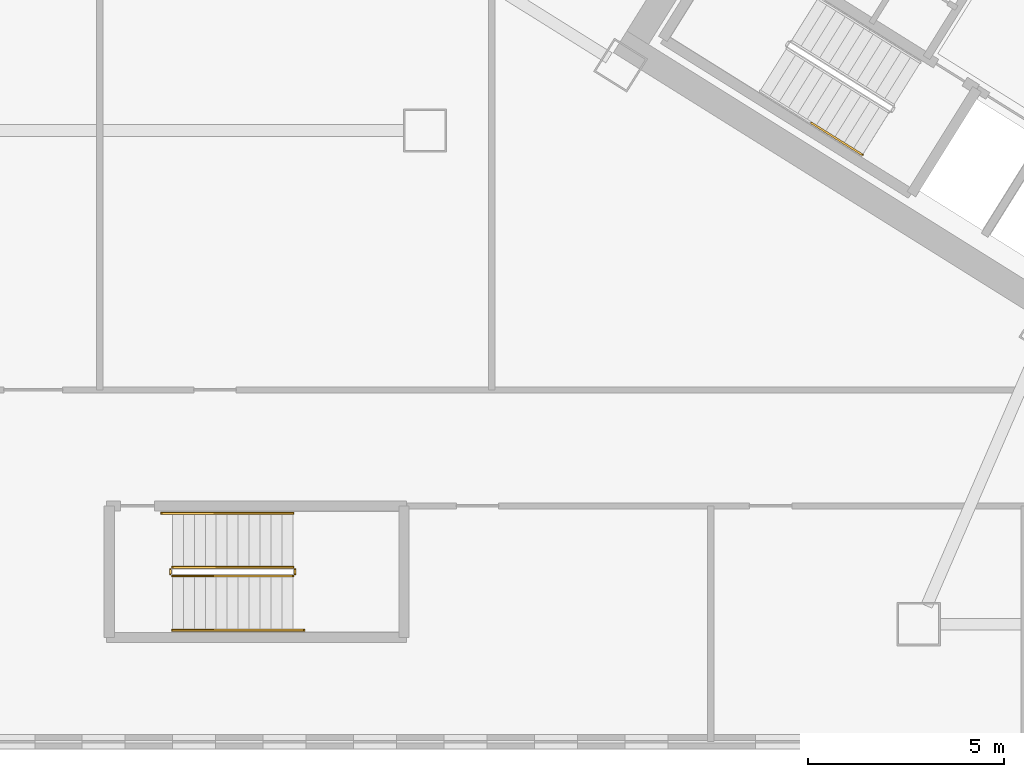
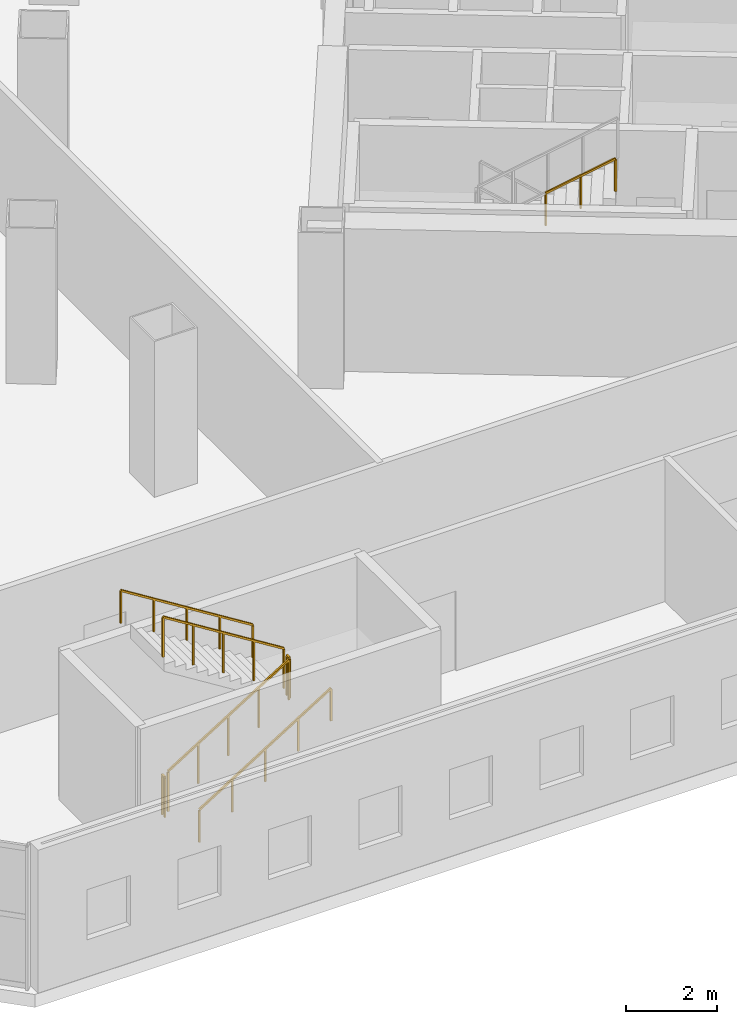
# One storey, part 16 of 22: 7 railings.
"""IFC4 building model written with IfcOpenShell, lengths in metres."""

from ifc_helpers import new_model, si_unit, direction, frame, origin, origin_2d, place, context, subcontext, project, spatial, rectangle, extrude, source, transform, mapped, material, type_object, element, save


model = new_model("IFC4")

# Units and contexts
model_context = context("Model", 3, precision=1e-05, world=origin(), true_north=direction((0.0, 1.0)))
body_context = subcontext(model_context, "Body", "Model", "MODEL_VIEW")
ifc_project = project(units=[si_unit("LENGTHUNIT", "METRE"), si_unit("AREAUNIT", "SQUARE_METRE"), si_unit("VOLUMEUNIT", "CUBIC_METRE"), si_unit("PLANEANGLEUNIT", "RADIAN"), si_unit("MASSUNIT", "GRAM", prefix="KILO")], contexts=[model_context])

# Site, building, storey
site_placement = place(None, origin())
site = spatial("IfcSite", under=ifc_project, at=site_placement, CompositionType="ELEMENT")
building_placement = place(site_placement, origin())
building = spatial("IfcBuilding", under=site, at=building_placement, Name="Tlacorven Tower", CompositionType="ELEMENT")
storey_placement = place(building_placement, frame((0.0, 0.0, 14.39990234375)))
storey = spatial("IfcBuildingStorey", under=building, at=storey_placement, Name="L03", CompositionType="ELEMENT", Elevation=14.39990234375)

# Railings
ifc_material = material(Name="Aluminium and painted steel balustrade", Category="steel")
railing_type_1 = type_object("IfcRailingType", Name="RL-HND-0900", PredefinedType="HANDRAIL", material=ifc_material)
shared_shape_1 = source(origin(), body_context, "Body", "SweptSolid", [
    extrude(rectangle(XDim=0.048095703125, YDim=0.048095703125, at=origin_2d()), frame((0.0, 0.0, 0.8759765625), z_axis=(0.719117830416, -0.449297399374, 0.530095645042), x_axis=(0.529870669602, 0.848078459516, 0.0)), (0.0, 0.0, 1.0), 1.81591796875),
    extrude(rectangle(XDim=0.0419921875, YDim=0.0419921875, at=origin_2d()), origin(), (0.0, 0.0, 1.0), 0.851806640625),
    extrude(rectangle(XDim=0.0419921875, YDim=0.0419921875, at=origin_2d()), frame((0.65283203125, -0.407958984375, 0.4814453125)), (0.0, 0.0, 1.0), 0.851806640625),
    extrude(rectangle(XDim=0.0419921875, YDim=0.0419921875, at=origin_2d()), frame((1.305908203125, -0.81591796875, 0.962646484375)), (0.0, 0.0, 1.0), 0.851806640625),
])
railing_1_placement = place(storey_placement, frame((27.059814453125, 17.395751953125, 3.237548828125)))
element("IfcRailing", 1, at=railing_1_placement, inside=storey, type_object=railing_type_1, Name="L03 ST-W1 stair handrail 4", PredefinedType="HANDRAIL", context=body_context, shape_type="MappedRepresentation", body=[
    mapped(shared_shape_1, transform((0.0, 0.0, 0.0), scale=1.0)),
])
railing_type_2 = type_object("IfcRailingType", Name="RL-GRD-1100", PredefinedType="GUARDRAIL", material=ifc_material)
shared_shape_2 = source(origin(), body_context, "Body", "SweptSolid", [
    extrude(rectangle(XDim=0.048095703125, YDim=0.048095703125, at=origin_2d()), frame((0.0, 0.0, 1.076171875), z_axis=(0.0, 1.0, 0.0), x_axis=(-1.0, 0.0, 0.0)), (0.0, 0.0, 1.0), 0.1201171875),
    extrude(rectangle(XDim=0.0419921875, YDim=0.0419921875, at=origin_2d()), origin(), (0.0, 0.0, 1.0), 1.052001953125),
    extrude(rectangle(XDim=0.0419921875, YDim=0.0419921875, at=origin_2d()), frame((0.0, 0.1201171875, 0.0)), (0.0, 0.0, 1.0), 1.052001953125),
])
for number, where, name in (
    (2, (13.8798828125, 5.8798828125, 2.10009765625), "L03 ST-P1 stair guard 2"),
    (3, (10.699951171875, 5.8798828125, 0.0), "L03 ST-P1 stair guard 4"),
):
    element("IfcRailing", number, at=place(storey_placement, frame(where)), inside=storey, type_object=railing_type_2, Name=name, PredefinedType="GUARDRAIL", context=body_context, shape_type="MappedRepresentation", body=[
        mapped(shared_shape_2, transform((0.0, 0.0, 0.0), scale=1.0)),
    ])
shared_shape_3 = source(origin(), body_context, "Body", "SweptSolid", [
    extrude(rectangle(XDim=0.048095703125, YDim=0.048095703125, at=origin_2d()), frame((0.0, 0.0, 1.076171875), z_axis=(0.847998304005, 0.0, 0.529998940003), x_axis=(0.0, 1.0, 0.0)), (0.0, 0.0, 1.0), 3.632080078125),
    extrude(rectangle(XDim=0.0419921875, YDim=0.0419921875, at=origin_2d()), origin(), (0.0, 0.0, 1.0), 1.052001953125),
    extrude(rectangle(XDim=0.0419921875, YDim=0.0419921875, at=origin_2d()), frame((0.77001953125, 0.0, 0.481201171875)), (0.0, 0.0, 1.0), 1.052001953125),
    extrude(rectangle(XDim=0.0419921875, YDim=0.0419921875, at=origin_2d()), frame((1.5400390625, 0.0, 0.96240234375)), (0.0, 0.0, 1.0), 1.052001953125),
    extrude(rectangle(XDim=0.0419921875, YDim=0.0419921875, at=origin_2d()), frame((2.31005859375, 0.0, 1.44384765625)), (0.0, 0.0, 1.0), 1.052001953125),
    extrude(rectangle(XDim=0.0419921875, YDim=0.0419921875, at=origin_2d()), frame((3.080078125, 0.0, 1.925048828125)), (0.0, 0.0, 1.0), 1.052001953125),
])
railing_2_placement = place(storey_placement, frame((10.75, 5.830078125, 0.175048828125)))
element("IfcRailing", 4, at=railing_2_placement, inside=storey, type_object=railing_type_2, Name="L03 ST-P1 stair guard 1", PredefinedType="GUARDRAIL", context=body_context, shape_type="MappedRepresentation", body=[
    mapped(shared_shape_3, transform((0.0, 0.0, 0.0), scale=1.0)),
])
shared_shape_4 = source(origin(), body_context, "Body", "SweptSolid", [
    extrude(rectangle(XDim=0.048095703125, YDim=0.048095703125, at=origin_2d()), frame((0.0, 0.0, 0.8759765625), z_axis=(0.847994842521, 0.0, 0.530004478338), x_axis=(0.0, 1.0, 0.0)), (0.0, 0.0, 1.0), 3.96240234375),
    extrude(rectangle(XDim=0.0419921875, YDim=0.0419921875, at=origin_2d()), origin(), (0.0, 0.0, 1.0), 0.851806640625),
    extrude(rectangle(XDim=0.0419921875, YDim=0.0419921875, at=origin_2d()), frame((0.840087890625, 0.0, 0.52490234375)), (0.0, 0.0, 1.0), 0.851806640625),
    extrude(rectangle(XDim=0.0419921875, YDim=0.0419921875, at=origin_2d()), frame((1.68017578125, 0.0, 1.050048828125)), (0.0, 0.0, 1.0), 0.851806640625),
    extrude(rectangle(XDim=0.0419921875, YDim=0.0419921875, at=origin_2d()), frame((2.52001953125, 0.0, 1.5751953125)), (0.0, 0.0, 1.0), 0.851806640625),
    extrude(rectangle(XDim=0.0419921875, YDim=0.0419921875, at=origin_2d()), frame((3.360107421875, 0.0, 2.10009765625)), (0.0, 0.0, 1.0), 0.851806640625),
])
railing_3_placement = place(storey_placement, frame((10.75, 4.449951171875, 0.175048828125)))
element("IfcRailing", 5, at=railing_3_placement, inside=storey, type_object=railing_type_1, Name="L03 ST-P1 stair handrail 1", PredefinedType="HANDRAIL", context=body_context, shape_type="MappedRepresentation", body=[
    mapped(shared_shape_4, transform((0.0, 0.0, 0.0), scale=1.0)),
])
shared_shape_5 = source(origin(), body_context, "Body", "SweptSolid", [
    extrude(rectangle(XDim=0.048095703125, YDim=0.048095703125, at=origin_2d()), frame((0.0, 0.0, 0.8759765625), z_axis=(-0.848022534174, 0.0, 0.529960169762), x_axis=(0.0, -1.0, 0.0)), (0.0, 0.0, 1.0), 3.96240234375),
    extrude(rectangle(XDim=0.0419921875, YDim=0.0419921875, at=origin_2d()), origin(), (0.0, 0.0, 1.0), 0.851806640625),
    extrude(rectangle(XDim=0.0419921875, YDim=0.0419921875, at=origin_2d()), frame((-0.840087890625, 0.0, 0.52490234375)), (0.0, 0.0, 1.0), 0.851806640625),
    extrude(rectangle(XDim=0.0419921875, YDim=0.0419921875, at=origin_2d()), frame((-1.68017578125, 0.0, 1.0498046875)), (0.0, 0.0, 1.0), 0.851806640625),
    extrude(rectangle(XDim=0.0419921875, YDim=0.0419921875, at=origin_2d()), frame((-2.52001953125, 0.0, 1.574951171875)), (0.0, 0.0, 1.0), 0.851806640625),
    extrude(rectangle(XDim=0.0419921875, YDim=0.0419921875, at=origin_2d()), frame((-3.360107421875, 0.0, 2.099853515625)), (0.0, 0.0, 1.0), 0.851806640625),
])
railing_4_placement = place(storey_placement, frame((13.830078125, 7.429931640625, 2.275146484375)))
element("IfcRailing", 6, at=railing_4_placement, inside=storey, type_object=railing_type_1, Name="L03 ST-P1 stair handrail 2", PredefinedType="HANDRAIL", context=body_context, shape_type="MappedRepresentation", body=[
    mapped(shared_shape_5, transform((0.0, 0.0, 0.0), scale=1.0)),
])
shared_shape_6 = source(origin(), body_context, "Body", "SweptSolid", [
    extrude(rectangle(XDim=0.048095703125, YDim=0.048095703125, at=origin_2d()), frame((0.0, 0.0, 1.076171875), z_axis=(-0.847998304005, 0.0, 0.529998940003), x_axis=(0.0, -1.0, 0.0)), (0.0, 0.0, 1.0), 3.632080078125),
    extrude(rectangle(XDim=0.0419921875, YDim=0.0419921875, at=origin_2d()), origin(), (0.0, 0.0, 1.0), 1.052001953125),
    extrude(rectangle(XDim=0.0419921875, YDim=0.0419921875, at=origin_2d()), frame((-0.77001953125, 0.0, 0.481201171875)), (0.0, 0.0, 1.0), 1.052001953125),
    extrude(rectangle(XDim=0.0419921875, YDim=0.0419921875, at=origin_2d()), frame((-1.5400390625, 0.0, 0.96240234375)), (0.0, 0.0, 1.0), 1.052001953125),
    extrude(rectangle(XDim=0.0419921875, YDim=0.0419921875, at=origin_2d()), frame((-2.31005859375, 0.0, 1.44384765625)), (0.0, 0.0, 1.0), 1.052001953125),
    extrude(rectangle(XDim=0.0419921875, YDim=0.0419921875, at=origin_2d()), frame((-3.080078125, 0.0, 1.925048828125)), (0.0, 0.0, 1.0), 1.052001953125),
])
railing_5_placement = place(storey_placement, frame((13.830078125, 6.050048828125, 2.275146484375)))
element("IfcRailing", 7, at=railing_5_placement, inside=storey, type_object=railing_type_2, Name="L03 ST-P1 stair guard 3", PredefinedType="GUARDRAIL", context=body_context, shape_type="MappedRepresentation", body=[
    mapped(shared_shape_6, transform((0.0, 0.0, 0.0), scale=1.0)),
])

save(model, "model.ifc")
